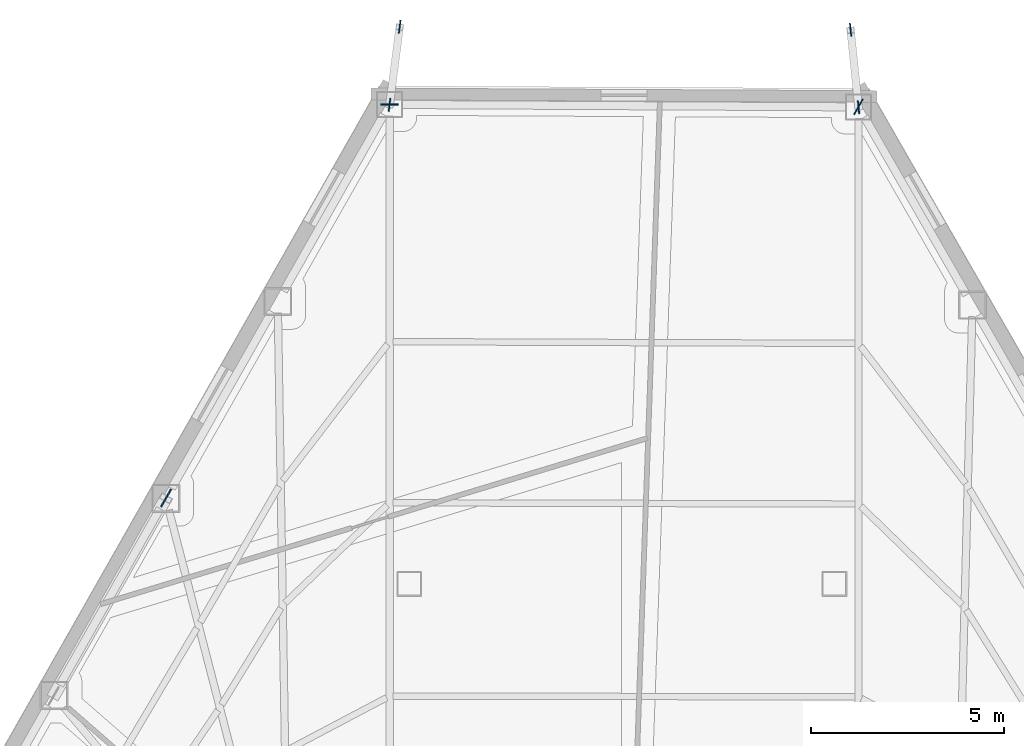
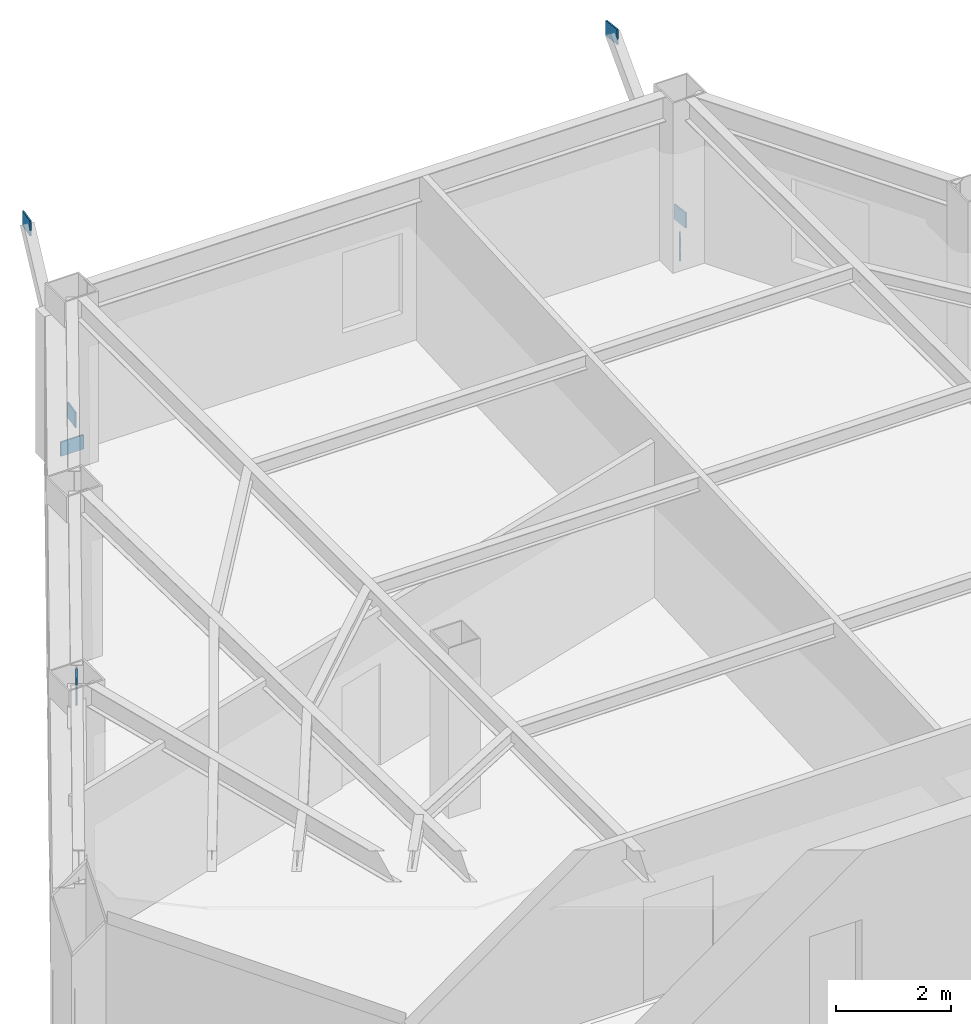
# One storey, part 6 of 13: 7 plates.
"""IFC4 building model written with IfcOpenShell, lengths in metres."""

from ifc_helpers import new_model, si_unit, direction, frame, origin, origin_2d, place, context, subcontext, project, spatial, rectangle, extrude, material, layer, layer_set, type_object, element, save


model = new_model("IFC4")

# Units and contexts
model_context = context("Model", 3, precision=1e-05, world=origin(), true_north=direction((0.0, 1.0)))
body_context = subcontext(model_context, "Body", "Model", "MODEL_VIEW")
ifc_project = project(units=[si_unit("LENGTHUNIT", "METRE"), si_unit("AREAUNIT", "SQUARE_METRE"), si_unit("VOLUMEUNIT", "CUBIC_METRE"), si_unit("PLANEANGLEUNIT", "RADIAN"), si_unit("MASSUNIT", "GRAM", prefix="KILO")], contexts=[model_context])

# Site, building, storey
site_placement = place(None, origin())
site = spatial("IfcSite", under=ifc_project, at=site_placement, CompositionType="ELEMENT")
building_placement = place(site_placement, origin())
building = spatial("IfcBuilding", under=site, at=building_placement, Name="Kavelnor Concourse Tower", CompositionType="ELEMENT")
storey_placement = place(building_placement, frame((0.0, 0.0, 108.60009765625)))
storey = spatial("IfcBuildingStorey", under=building, at=storey_placement, Name="L27", CompositionType="ELEMENT", Elevation=108.60009765625)

# Plates
ifc_material = material(Name="Steel Grade 350", Category="steel")
ifc_layer_1 = layer(ifc_material, 0.028076171875, Name="Steel Grade 350")
ifc_layer_set_1 = layer_set([ifc_layer_1], Name="Steel Grade 350")
plate_type_1 = type_object("IfcPlateType", Name="PL-GUSSET-FOLD", PredefinedType="USERDEFINED", material=ifc_layer_set_1)
for number, where, z_axis, x_axis, name in (
    (1, (31.99072265625, 44.204345703125, 0.10009765625), (0.0, 0.0, 1.0), (1.0, 0.0, 0.0), "L27 Herringbone Corner-Fold Kink Gusset Plate F0-B0"),
    (2, (44.123291015625, 44.1416015625, 0.10009765625), (0.0, 0.0, 1.0), (-0.5, -0.866025403784, 0.0), "L27 Herringbone Corner-Fold Kink Gusset Plate F2-B6"),
):
    element("IfcPlate", number, at=place(storey_placement, frame(where, z_axis=z_axis, x_axis=x_axis)), inside=storey, type_object=plate_type_1, Name=name, ObjectType="GUSSET_PLATE", PredefinedType="USERDEFINED", context=body_context, shape_type="SweptSolid", body=[
        extrude(rectangle(XDim=0.4599609375, YDim=0.028076171875, at=origin_2d()), origin(), (0.0, 0.0, 1.0), 0.300048828125),
    ])
for number, where, z_axis, x_axis, name in (
    (3, (44.12451171875, 44.129638671875, 0.73974609375), (0.0, 0.0, 1.0), (-0.102271697543, 0.994756502809, 0.0), "L27 Terrace Strut Gusset GP4 C0-A End Gusset A"),
    (4, (43.917724609375, 46.1396484375, 3.47509765625), (0.0, 0.0, 1.0), (-0.102271697543, 0.994756502809, 0.0), "L27 Terrace Strut Gusset GP4 C0-A End Gusset B"),
    (5, (31.9892578125, 44.1923828125, 0.73974609375), (0.0, 0.0, 1.0), (0.129141747261, 0.991626143823, 0.0), "L27 Terrace Strut Gusset GP4 C0-B End Gusset A"),
    (6, (32.253173828125, 46.219482421875, 3.47509765625), (0.0, 0.0, 1.0), (0.129141747261, 0.991626143823, 0.0), "L27 Terrace Strut Gusset GP4 C0-B End Gusset B"),
):
    element("IfcPlate", number, at=place(storey_placement, frame(where, z_axis=z_axis, x_axis=x_axis)), inside=storey, type_object=plate_type_1, Name=name, ObjectType="GUSSET_PLATE", PredefinedType="USERDEFINED", context=body_context, shape_type="SweptSolid", body=[
        extrude(rectangle(XDim=0.340087890625, YDim=0.028076171875, at=origin_2d()), origin(), (0.0, 0.0, 1.0), 0.320068359375),
    ])
ifc_layer_2 = layer(ifc_material, 0.031982421875, Name="Steel Grade 350")
ifc_layer_set_2 = layer_set([ifc_layer_2], Name="Steel Grade 350")
plate_type_2 = type_object("IfcPlateType", Name="PL-GUSSET-TUBE-Z1", PredefinedType="USERDEFINED", material=ifc_layer_set_2)
plate_placement = place(storey_placement, frame((26.20751953125, 34.022216796875, 3.12353515625), z_axis=(0.0, 0.0, 1.0), x_axis=(0.493790103568, 0.86958112538, 0.0)))
element("IfcPlate", 7, at=plate_placement, inside=storey, type_object=plate_type_2, Name="L27 Tube Brace Gusset GP3 F0-B2 End Gusset B", ObjectType="GUSSET_PLATE", PredefinedType="USERDEFINED", context=body_context, shape_type="SweptSolid", body=[
    extrude(rectangle(XDim=0.52001953125, YDim=0.031982421875, at=origin_2d()), origin(), (0.0, 0.0, 1.0), 0.419921875),
])

save(model, "model.ifc")
